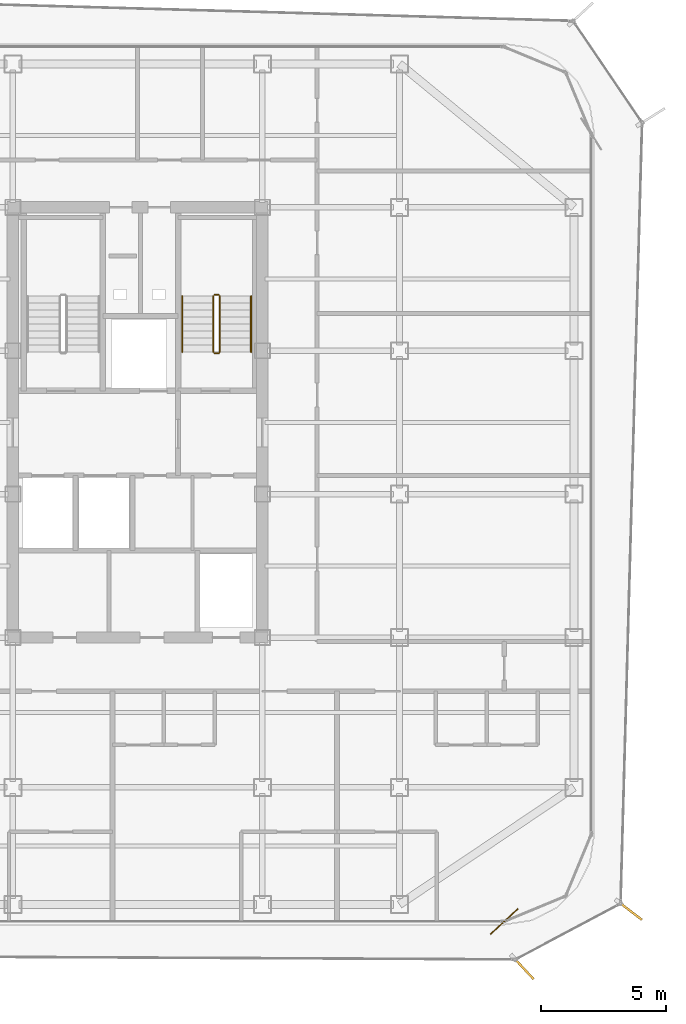
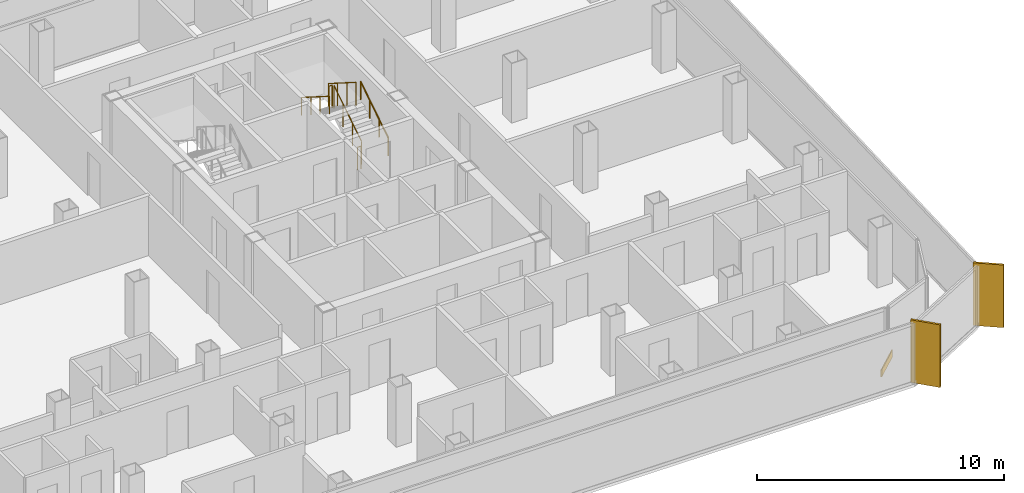
# One storey, part 15 of 16: 6 railings, 2 shading devices, 1 covering.
"""IFC4 building model written with IfcOpenShell, lengths in metres."""

from ifc_helpers import new_model, si_unit, direction, frame, origin, origin_2d, place, context, subcontext, project, spatial, rectangle, circle, extrude, source, transform, mapped, material, layer, layer_set, type_object, element, save


model = new_model("IFC4")

# Units and contexts
model_context = context("Model", 3, precision=1e-05, world=origin(), true_north=direction((0.0, 1.0)))
body_context = subcontext(model_context, "Body", "Model", "MODEL_VIEW")
ifc_project = project(units=[si_unit("LENGTHUNIT", "METRE"), si_unit("AREAUNIT", "SQUARE_METRE"), si_unit("VOLUMEUNIT", "CUBIC_METRE"), si_unit("PLANEANGLEUNIT", "RADIAN"), si_unit("MASSUNIT", "GRAM", prefix="KILO")], contexts=[model_context])

# Site, building, storey
site_placement = place(None, origin())
site = spatial("IfcSite", under=ifc_project, at=site_placement, CompositionType="ELEMENT")
building_placement = place(site_placement, origin())
building = spatial("IfcBuilding", under=site, at=building_placement, Name="Kolveth Station Tower", CompositionType="ELEMENT")
storey_placement = place(building_placement, frame((0.0, 0.0, 209.199951171875)))
storey = spatial("IfcBuildingStorey", under=building, at=storey_placement, Name="L59", CompositionType="ELEMENT", Elevation=209.199951171875)

# Railings
ifc_material_1 = material(Name="Painted Steel S355 balustrade", Category="steel")
railing_type_1 = type_object("IfcRailingType", Name="Guard_GR2", PredefinedType="BALUSTRADE", material=ifc_material_1)
railing_1_placement = place(storey_placement, frame((26.800048828125, 22.949951171875, 0.177734375)))
element("IfcRailing", 1, at=railing_1_placement, inside=storey, type_object=railing_type_1, Name="L59 ST2 stair guard 1", PredefinedType="BALUSTRADE", context=body_context, shape_type="SweptSolid", body=[
    extrude(circle(Radius=0.02392578125, at=origin_2d()), frame((0.0, 0.0, 1.1259765625), z_axis=(0.0, 0.84418770128, 0.536047689118), x_axis=(-1.0, 0.0, 0.0)), (0.0, 0.0, 1.0), 2.6533203125),
    extrude(circle(Radius=0.02099609375, at=origin_2d()), origin(), (0.0, 0.0, 1.0), 1.101806640625),
    extrude(circle(Radius=0.02099609375, at=origin_2d()), frame((0.0, 0.74658203125, 0.47412109375)), (0.0, 0.0, 1.0), 1.101806640625),
    extrude(circle(Radius=0.02099609375, at=origin_2d()), frame((0.0, 1.493408203125, 0.9482421875)), (0.0, 0.0, 1.0), 1.101806640625),
    extrude(circle(Radius=0.02099609375, at=origin_2d()), frame((0.0, 2.239990234375, 1.42236328125)), (0.0, 0.0, 1.0), 1.101806640625),
])
railing_2_placement = place(storey_placement, frame((26.75, 25.239990234375, 1.60009765625)))
element("IfcRailing", 2, at=railing_2_placement, inside=storey, type_object=railing_type_1, Name="L59 ST2 stair guard 2", PredefinedType="BALUSTRADE", context=body_context, shape_type="SweptSolid", body=[
    extrude(circle(Radius=0.02392578125, at=origin_2d()), frame((0.0, 0.0, 1.1259765625), z_axis=(-1.0, 0.0, 0.0), x_axis=(0.0, -1.0, 0.0)), (0.0, 0.0, 1.0), 0.159912109375),
    extrude(circle(Radius=0.02099609375, at=origin_2d()), origin(), (0.0, 0.0, 1.0), 1.101806640625),
    extrude(circle(Radius=0.02099609375, at=origin_2d()), frame((-0.159912109375, 0.0, 0.0)), (0.0, 0.0, 1.0), 1.101806640625),
])
railing_3_placement = place(storey_placement, frame((26.5400390625, 25.18994140625, 1.77783203125)))
element("IfcRailing", 3, at=railing_3_placement, inside=storey, type_object=railing_type_1, Name="L59 ST2 stair guard 3", PredefinedType="BALUSTRADE", context=body_context, shape_type="SweptSolid", body=[
    extrude(circle(Radius=0.02392578125, at=origin_2d()), frame((0.0, 0.0, 1.1259765625), z_axis=(0.0, -0.8442293374, 0.53598211339), x_axis=(1.0, 0.0, 0.0)), (0.0, 0.0, 1.0), 2.6533203125),
    extrude(circle(Radius=0.02099609375, at=origin_2d()), origin(), (0.0, 0.0, 1.0), 1.101806640625),
    extrude(circle(Radius=0.02099609375, at=origin_2d()), frame((0.0, -0.74658203125, 0.47412109375)), (0.0, 0.0, 1.0), 1.101806640625),
    extrude(circle(Radius=0.02099609375, at=origin_2d()), frame((0.0, -1.493408203125, 0.947998046875)), (0.0, 0.0, 1.0), 1.101806640625),
    extrude(circle(Radius=0.02099609375, at=origin_2d()), frame((0.0, -2.239990234375, 1.422119140625)), (0.0, 0.0, 1.0), 1.101806640625),
])
railing_4_placement = place(storey_placement, frame((26.75, 22.89990234375, 0.0)))
element("IfcRailing", 4, at=railing_4_placement, inside=storey, type_object=railing_type_1, Name="L59 ST2 stair guard 4", PredefinedType="BALUSTRADE", context=body_context, shape_type="SweptSolid", body=[
    extrude(circle(Radius=0.02392578125, at=origin_2d()), frame((0.0, 0.0, 1.1259765625), z_axis=(-1.0, 0.0, 0.0), x_axis=(0.0, -1.0, 0.0)), (0.0, 0.0, 1.0), 0.159912109375),
    extrude(circle(Radius=0.02099609375, at=origin_2d()), origin(), (0.0, 0.0, 1.0), 1.101806640625),
    extrude(circle(Radius=0.02099609375, at=origin_2d()), frame((-0.159912109375, 0.0, 0.0)), (0.0, 0.0, 1.0), 1.101806640625),
])
ifc_material_2 = material(Name="Brushed stainless steel", Category="steel")
railing_type_2 = type_object("IfcRailingType", Name="Handrail_HR1", PredefinedType="HANDRAIL", material=ifc_material_2)
railing_5_placement = place(storey_placement, frame((28.050048828125, 22.949951171875, 0.177734375)))
element("IfcRailing", 5, at=railing_5_placement, inside=storey, type_object=railing_type_2, Name="L59 ST2 stair handrail 1", PredefinedType="HANDRAIL", context=body_context, shape_type="SweptSolid", body=[
    extrude(circle(Radius=0.02392578125, at=origin_2d()), frame((0.0, 0.0, 0.8759765625), z_axis=(0.0, 0.84418770128, 0.536047689118), x_axis=(-1.0, 0.0, 0.0)), (0.0, 0.0, 1.0), 2.6533203125),
    extrude(circle(Radius=0.02099609375, at=origin_2d()), origin(), (0.0, 0.0, 1.0), 0.851806640625),
    extrude(circle(Radius=0.02099609375, at=origin_2d()), frame((0.0, 0.74658203125, 0.47412109375)), (0.0, 0.0, 1.0), 0.851806640625),
    extrude(circle(Radius=0.02099609375, at=origin_2d()), frame((0.0, 1.493408203125, 0.9482421875)), (0.0, 0.0, 1.0), 0.851806640625),
    extrude(circle(Radius=0.02099609375, at=origin_2d()), frame((0.0, 2.239990234375, 1.42236328125)), (0.0, 0.0, 1.0), 0.851806640625),
])
railing_6_placement = place(storey_placement, frame((25.2900390625, 25.18994140625, 1.77783203125)))
element("IfcRailing", 6, at=railing_6_placement, inside=storey, type_object=railing_type_2, Name="L59 ST2 stair handrail 2", PredefinedType="HANDRAIL", context=body_context, shape_type="SweptSolid", body=[
    extrude(circle(Radius=0.02392578125, at=origin_2d()), frame((0.0, 0.0, 0.8759765625), z_axis=(0.0, -0.8442293374, 0.53598211339), x_axis=(1.0, 0.0, 0.0)), (0.0, 0.0, 1.0), 2.6533203125),
    extrude(circle(Radius=0.02099609375, at=origin_2d()), origin(), (0.0, 0.0, 1.0), 0.851806640625),
    extrude(circle(Radius=0.02099609375, at=origin_2d()), frame((0.0, -0.74658203125, 0.47412109375)), (0.0, 0.0, 1.0), 0.851806640625),
    extrude(circle(Radius=0.02099609375, at=origin_2d()), frame((0.0, -1.493408203125, 0.947998046875)), (0.0, 0.0, 1.0), 0.851806640625),
    extrude(circle(Radius=0.02099609375, at=origin_2d()), frame((0.0, -2.239990234375, 1.422119140625)), (0.0, 0.0, 1.0), 0.851806640625),
])

# Shading devices
ifc_material_3 = material(Name="Black anodized aluminium 6063-T6", Category="aluminium")
shading_device_type = type_object("IfcShadingDeviceType", Name="FIN_VF1", PredefinedType="USERDEFINED", material=ifc_material_3)
shared_shape_1 = source(origin(), body_context, "Body", "SweptSolid", [
    extrude(rectangle(XDim=1.25, YDim=0.090087890625, at=origin_2d()), origin(), (0.0, 0.0, 1.0), 3.10009765625),
])
for number, where, z_axis, x_axis, name in (
    (7, (38.955078125, -1.738037109375, 0.0), (0.0, 0.0, 1.0), (0.681487612702, -0.731829648029, 0.0), "L59 Dark-Aluminium Solar Fin 1"),
    (8, (43.22607421875, 0.56396484375, 0.0), (0.0, 0.0, 1.0), (0.794096490407, -0.607791710969, 0.0), "L59 Dark-Aluminium Solar Fin 2"),
):
    element("IfcShadingDevice", number, at=place(storey_placement, frame(where, z_axis=z_axis, x_axis=x_axis)), inside=storey, type_object=shading_device_type, Name=name, ObjectType="FIN", PredefinedType="USERDEFINED", context=body_context, shape_type="MappedRepresentation", body=[
        mapped(shared_shape_1, transform((0.0, 0.0, 0.0), x_axis=(1.0, 0.0, 0.0), y_axis=(0.0, 1.0, 0.0), z_axis=(0.0, 0.0, 1.0), scale=1.0)),
    ])

# Covering
ifc_material_4 = material(Name="Charcoal anodized aluminium spandrel cladding", Category="aluminium")
ifc_layer = layer(ifc_material_4, 0.044921875)
ifc_layer_set = layer_set([ifc_layer], Name="Charcoal anodized aluminium spandrel cladding")
covering_type = type_object("IfcCoveringType", Name="Clad_CD1", PredefinedType="CLADDING", material=ifc_layer_set)
shared_shape_2 = source(origin(), body_context, "Body", "SweptSolid", [
    extrude(rectangle(XDim=1.5, YDim=0.044921875, at=origin_2d()), origin(), (0.0, 0.0, 1.0), 0.360107421875),
])
covering_placement = place(storey_placement, frame((38.199951171875, 0.1201171875, 0.0), z_axis=(0.0, 0.0, 1.0), x_axis=(0.731829648029, 0.681487612702, 0.0)))
element("IfcCovering", 9, at=covering_placement, inside=storey, type_object=covering_type, Name="L59 Spandrel Edge Cladding 1", PredefinedType="CLADDING", context=body_context, shape_type="MappedRepresentation", body=[
    mapped(shared_shape_2, transform((0.0, 0.0, 0.0), x_axis=(1.0, 0.0, 0.0), y_axis=(0.0, 1.0, 0.0), z_axis=(0.0, 0.0, 1.0), scale=1.0)),
])

save(model, "model.ifc")
